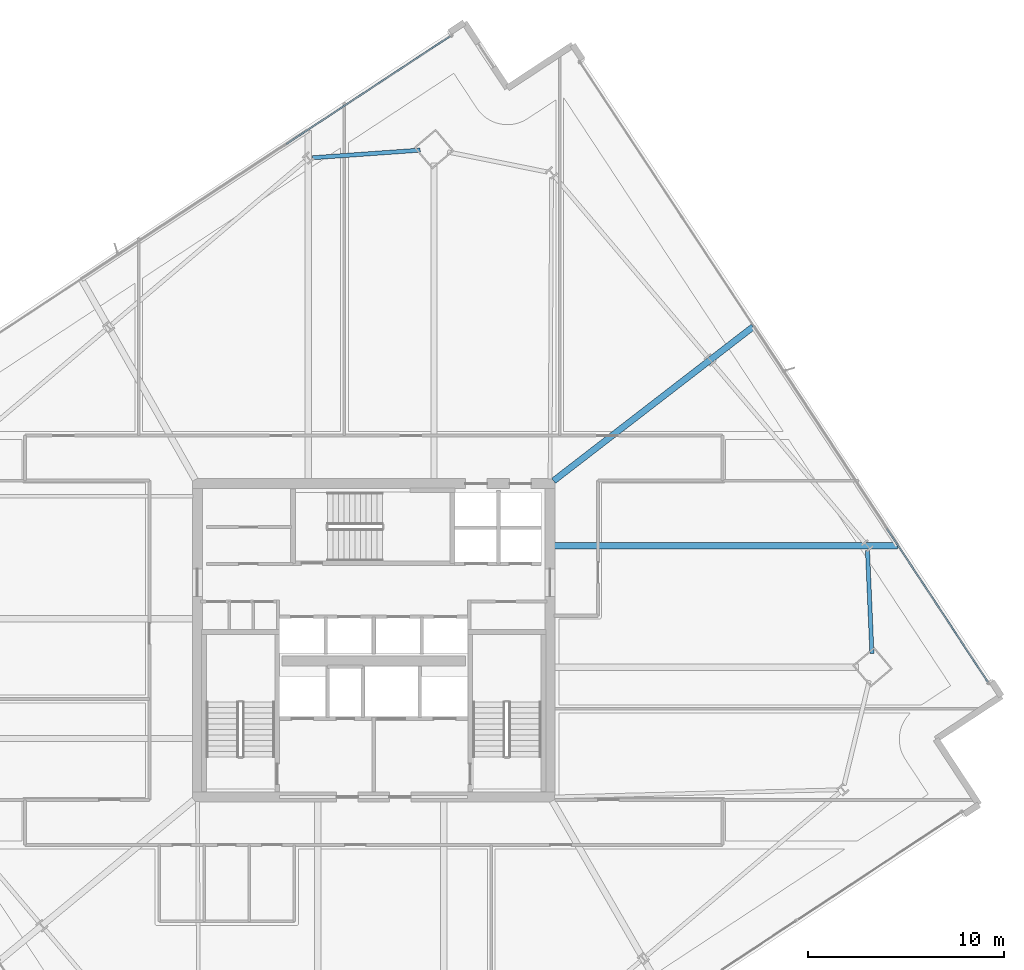
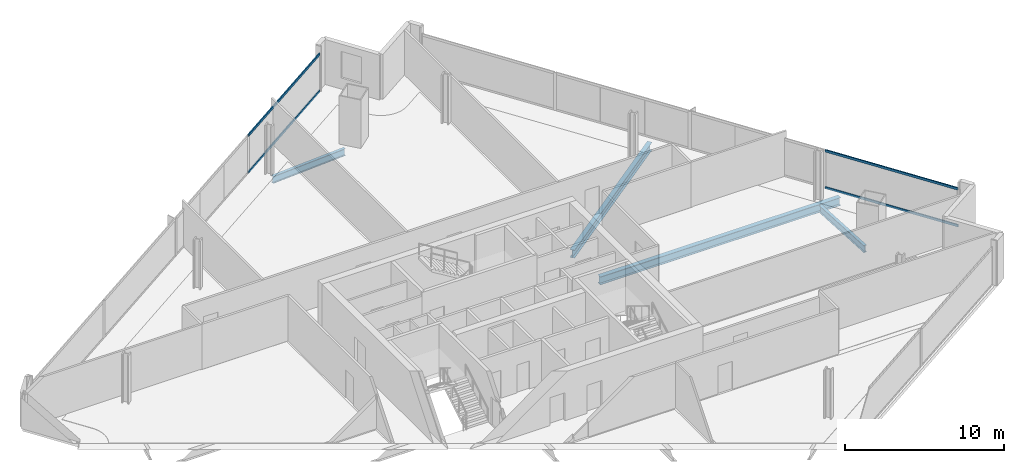
# One storey, part 16 of 29: 4 beams, 4 members, 2 elements without a shape of their own.
"""IFC4 building model written with IfcOpenShell, lengths in metres."""

from ifc_helpers import new_model, si_unit, direction, frame, origin, origin_2d, place, context, subcontext, project, spatial, hollow_rectangle, i_section, extrude, material, material_profile, profile_set, type_object, element, aggregate, save


model = new_model("IFC4")

# Units and contexts
model_context = context("Model", 3, precision=1e-05, world=origin(), true_north=direction((0.0, 1.0)))
body_context = subcontext(model_context, "Body", "Model", "MODEL_VIEW")
ifc_project = project(units=[si_unit("LENGTHUNIT", "METRE"), si_unit("AREAUNIT", "SQUARE_METRE"), si_unit("VOLUMEUNIT", "CUBIC_METRE"), si_unit("PLANEANGLEUNIT", "RADIAN"), si_unit("MASSUNIT", "GRAM", prefix="KILO")], contexts=[model_context])

# Site, building, storey
site_placement = place(None, origin())
site = spatial("IfcSite", under=ifc_project, at=site_placement, CompositionType="ELEMENT")
building_placement = place(site_placement, origin())
building = spatial("IfcBuilding", under=site, at=building_placement, Name="Haldenkirk Collegiate Tower", CompositionType="ELEMENT")
storey_placement = place(building_placement, frame((0.0, 0.0, 140.699951171875)))
storey = spatial("IfcBuildingStorey", under=building, at=storey_placement, Name="L34", CompositionType="ELEMENT", Elevation=140.699951171875)

# Beams
ifc_material_1 = material(Name="Steel ASTM A992 Grade 50", Category="steel")
ifc_material_profile_1 = material_profile(ifc_material_1, i_section(OverallWidth=0.324951171875, OverallDepth=0.615966796875, WebThickness=0.013916015625, FlangeThickness=0.021484375, at=origin_2d()), Name="W24X117")
ifc_profile_set_1 = profile_set([ifc_material_profile_1], Name="Steel ASTM A992 Grade 50")
beam_type_1 = type_object("IfcBeamType", Name="BM-GIRDER-W24X117", PredefinedType="BEAM", material=ifc_profile_set_1)
beam_1_placement = place(storey_placement, frame((62.7294921875, 30.82421875, -0.597900390625), z_axis=(-1.0, 0.0, 0.0), x_axis=(0.0, -1.0, 0.0)))
element("IfcBeam", 1, at=beam_1_placement, inside=storey, type_object=beam_type_1, Name="L34 primary floor girder 08", PredefinedType="BEAM", context=body_context, shape_type="SweptSolid", body=[
    extrude(i_section(OverallWidth=0.324951171875, OverallDepth=0.615966796875, WebThickness=0.013916015625, FlangeThickness=0.021484375, at=origin_2d()), origin(), (0.0, 0.0, 1.0), 17.49951171875),
])
beam_2_placement = place(storey_placement, frame((55.37109375, 42.005126953125, -0.597900390625), z_axis=(-0.791606094974, -0.611031742548, 0.0), x_axis=(0.611031742548, -0.791606094974, 0.0)))
element("IfcBeam", 2, at=beam_2_placement, inside=storey, type_object=beam_type_1, Name="L34 primary floor girder 09", PredefinedType="BEAM", context=body_context, shape_type="SweptSolid", body=[
    extrude(i_section(OverallWidth=0.324951171875, OverallDepth=0.615966796875, WebThickness=0.013916015625, FlangeThickness=0.021484375, at=origin_2d()), origin(), (0.0, 0.0, 1.0), 12.871337890625),
])
ifc_material_profile_2 = material_profile(ifc_material_1, i_section(OverallWidth=0.2119140625, OverallDepth=0.5439453125, WebThickness=0.01318359375, FlangeThickness=0.021240234375, at=origin_2d()), Name="W21X83")
ifc_profile_set_2 = profile_set([ifc_material_profile_2], Name="Steel ASTM A992 Grade 50")
beam_type_2 = type_object("IfcBeamType", Name="BM-SPANDREL-W21X83", PredefinedType="SPANDREL", material=ifc_profile_set_2)
beam_3_placement = place(storey_placement, frame((61.434814453125, 25.33349609375, -0.56201171875), z_axis=(-0.042833703015, 0.999082215779, 0.0), x_axis=(-0.999082215779, -0.042833703015, 0.0)))
element("IfcBeam", 3, at=beam_3_placement, inside=storey, type_object=beam_type_2, Name="L34 perimeter spandrel beam 05", PredefinedType="SPANDREL", context=body_context, shape_type="SweptSolid", body=[
    extrude(i_section(OverallWidth=0.2119140625, OverallDepth=0.5439453125, WebThickness=0.01318359375, FlangeThickness=0.021240234375, at=origin_2d()), origin(), (0.0, 0.0, 1.0), 5.2666015625),
])
beam_4_placement = place(storey_placement, frame((38.373779296875, 51.025146484375, -0.56201171875), z_axis=(-0.997489017738, -0.070821320891, 0.0), x_axis=(0.070821320891, -0.997489017738, 0.0)))
element("IfcBeam", 4, at=beam_4_placement, inside=storey, type_object=beam_type_2, Name="L34 perimeter spandrel beam 09", PredefinedType="SPANDREL", context=body_context, shape_type="SweptSolid", body=[
    extrude(i_section(OverallWidth=0.2119140625, OverallDepth=0.5439453125, WebThickness=0.01318359375, FlangeThickness=0.021240234375, at=origin_2d()), origin(), (0.0, 0.0, 1.0), 5.501953125),
])

# Curtain wall, members
ifc_material_2 = material(Name="Anodised architectural bronze aluminium", Category="aluminium")
curtain_wall_type = type_object("IfcCurtainWallType", Name="CW-SYS1-CONVEX-LOW", PredefinedType="USERDEFINED", material=ifc_material_2)
curtain_wall_1_placement = place(storey_placement, origin())
curtain_wall_1 = element("IfcCurtainWall", 5, at=curtain_wall_1_placement, inside=storey, type_object=curtain_wall_type, Name="L34 Lower tower convex bronze-framed unitised curtain wall", ObjectType="UNITISED CURTAIN WALL", PredefinedType="USERDEFINED")
ifc_material_profile_3 = material_profile(ifc_material_2, hollow_rectangle(XDim=0.080078125, YDim=0.179931640625, WallThickness=0.0048828125, at=origin_2d()), Name="CW-TRN-1A")
ifc_profile_set_3 = profile_set([ifc_material_profile_3], Name="Anodised architectural bronze aluminium")
member_type = type_object("IfcMemberType", Name="CW-TRN-1A", PredefinedType="USERDEFINED", material=ifc_profile_set_3)
member_1_placement = place(storey_placement, frame((62.199462890625, 31.7021484375, 0.0400390625), z_axis=(0.549765163572, -0.835319259279, 0.0), x_axis=(0.835319259279, 0.549765163572, 0.0)))
member_1 = element("IfcMember", 6, at=member_1_placement, type_object=member_type, Name="CW-1A transom 4.1", ObjectType="TRANSOM", PredefinedType="USERDEFINED", context=body_context, shape_type="SweptSolid", body=[
    extrude(hollow_rectangle(XDim=0.080078125, YDim=0.179931640625, WallThickness=0.0048828125, at=origin_2d()), origin(), (0.0, 0.0, 1.0), 9.3798828125),
])
member_2_placement = place(storey_placement, frame((62.199462890625, 31.7021484375, 2.87109375), z_axis=(0.549765163572, -0.835319259279, 0.0), x_axis=(0.835319259279, 0.549765163572, 0.0)))
member_2 = element("IfcMember", 7, at=member_2_placement, type_object=member_type, Name="CW-1A transom 4.2", ObjectType="TRANSOM", PredefinedType="USERDEFINED", context=body_context, shape_type="SweptSolid", body=[
    extrude(hollow_rectangle(XDim=0.080078125, YDim=0.179931640625, WallThickness=0.0048828125, at=origin_2d()), origin(), (0.0, 0.0, 1.0), 9.3798828125),
])
aggregate(curtain_wall_1, [member_1, member_2])

curtain_wall_2_placement = place(storey_placement, origin())
curtain_wall_2 = element("IfcCurtainWall", 8, at=curtain_wall_2_placement, inside=storey, type_object=curtain_wall_type, Name="L34 Lower tower convex bronze-framed unitised curtain wall", ObjectType="UNITISED CURTAIN WALL", PredefinedType="USERDEFINED")
member_3_placement = place(storey_placement, frame((31.52685546875, 51.332275390625, 0.0400390625), z_axis=(0.835323542634, 0.549758655339, 0.0), x_axis=(-0.549758655339, 0.835323542634, 0.0)))
member_3 = element("IfcMember", 9, at=member_3_placement, type_object=member_type, Name="CW-1A transom 4.1", ObjectType="TRANSOM", PredefinedType="USERDEFINED", context=body_context, shape_type="SweptSolid", body=[
    extrude(hollow_rectangle(XDim=0.080078125, YDim=0.179931640625, WallThickness=0.0048828125, at=origin_2d()), origin(), (0.0, 0.0, 1.0), 10.030029296875),
])
member_4_placement = place(storey_placement, frame((31.52685546875, 51.332275390625, 2.87109375), z_axis=(0.835323542634, 0.549758655339, 0.0), x_axis=(-0.549758655339, 0.835323542634, 0.0)))
member_4 = element("IfcMember", 10, at=member_4_placement, type_object=member_type, Name="CW-1A transom 4.2", ObjectType="TRANSOM", PredefinedType="USERDEFINED", context=body_context, shape_type="SweptSolid", body=[
    extrude(hollow_rectangle(XDim=0.080078125, YDim=0.179931640625, WallThickness=0.0048828125, at=origin_2d()), origin(), (0.0, 0.0, 1.0), 10.030029296875),
])
aggregate(curtain_wall_2, [member_3, member_4])

save(model, "model.ifc")
